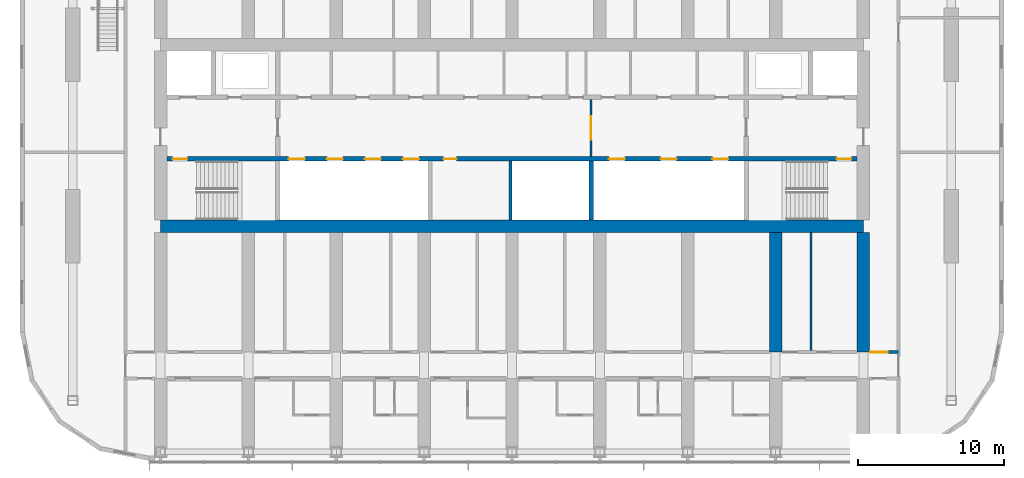
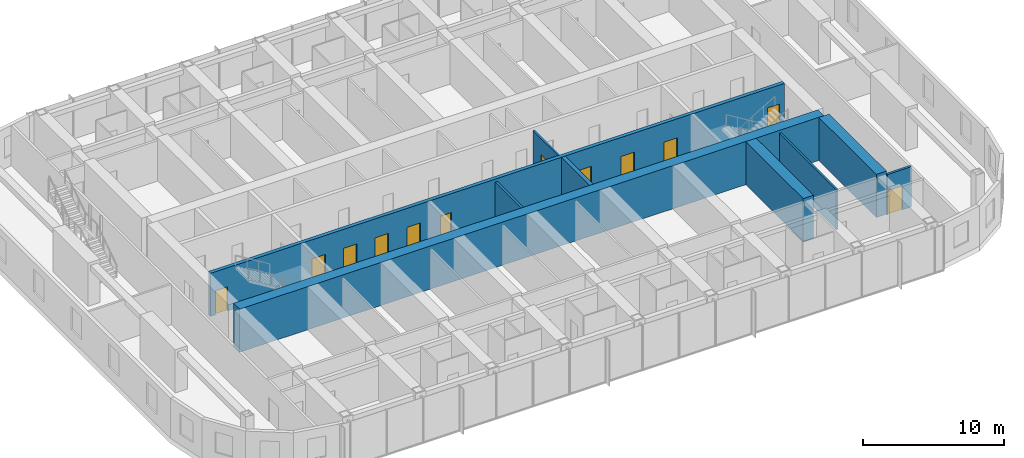
# One storey, part 17 of 29: 12 doors, 9 walls, 12 openings.
"""IFC4 building model written with IfcOpenShell, lengths in metres."""

from ifc_helpers import new_model, si_unit, direction, frame, frame_2d, origin, place, context, subcontext, project, spatial, rectangle, extrude, material, layer, layer_set, type_object, element, fill, save


model = new_model("IFC4")

# Units and contexts
model_context = context("Model", 3, precision=1e-05, world=origin(), true_north=direction((0.0, 1.0)))
body_context = subcontext(model_context, "Body", "Model", "MODEL_VIEW")
ifc_project = project(units=[si_unit("LENGTHUNIT", "METRE"), si_unit("AREAUNIT", "SQUARE_METRE"), si_unit("VOLUMEUNIT", "CUBIC_METRE"), si_unit("PLANEANGLEUNIT", "RADIAN"), si_unit("MASSUNIT", "GRAM", prefix="KILO")], contexts=[model_context])

# Site, building, storey
site_placement = place(None, origin())
site = spatial("IfcSite", under=ifc_project, at=site_placement, CompositionType="ELEMENT")
building_placement = place(site_placement, origin())
building = spatial("IfcBuilding", under=site, at=building_placement, Name="Orbita Commons", CompositionType="ELEMENT")
storey_placement = place(building_placement, frame((0.0, 0.0, 148.60009765625)))
storey = spatial("IfcBuildingStorey", under=building, at=storey_placement, Name="L36", CompositionType="ELEMENT", Elevation=148.60009765625)

# Wall, openings, doors
ifc_material_1 = material(Name="Concrete C50/60", Category="concrete")
ifc_layer_1 = layer(ifc_material_1, 0.300048828125)
ifc_layer_set_1 = layer_set([ifc_layer_1], Name="Concrete C50/60")
wall_type_1 = type_object("IfcWallType", Name="Core inner wall 300 C50/60", PredefinedType="SHEAR", material=ifc_layer_set_1)
wall_1_placement = place(storey_placement, frame((18.425048828125, 30.39990234375, 0.0), z_axis=(0.0, 0.0, 1.0), x_axis=(1.0, 0.0, 0.0)))
wall_1 = element("IfcWall", 1, at=wall_1_placement, inside=storey, type_object=wall_type_1, Name="Lobby wall south L36", PredefinedType="SHEAR", context=body_context, shape_type="SweptSolid", body=[
    extrude(rectangle(XDim=47.14990234375, YDim=0.300048828125, at=frame_2d((23.574951171875, 0.0))), origin(), (0.0, 0.0, 1.0), 3.75),
])
opening_1_placement = place(wall_1_placement, frame((0.39990234375, 0.0, 0.0)))
opening_1 = element("IfcOpeningElement", 2, at=opening_1_placement, cuts=wall_1, Name="Opening D02", PredefinedType="OPENING", context=body_context, shape_type="SweptSolid", body=[
    extrude(rectangle(XDim=1.0, YDim=2.10009765625, at=frame_2d((0.5, 1.050048828125))), frame((0.0, 0.159912109375, 0.0), z_axis=(0.0, -1.0, 0.0), x_axis=(1.0, 0.0, 0.0)), (0.0, 0.0, 1.0), 0.320068359375),
])
opening_2_placement = place(wall_1_placement, frame((45.75, 0.0, 0.0)))
opening_2 = element("IfcOpeningElement", 3, at=opening_2_placement, cuts=wall_1, Name="Opening D02", PredefinedType="OPENING", context=body_context, shape_type="SweptSolid", body=[
    extrude(rectangle(XDim=1.0, YDim=2.10009765625, at=frame_2d((0.5, 1.050048828125))), frame((0.0, 0.159912109375, 0.0), z_axis=(0.0, -1.0, 0.0), x_axis=(1.0, 0.0, 0.0)), (0.0, 0.0, 1.0), 0.320068359375),
])
opening_3_placement = place(wall_1_placement, frame((8.324951171875, 0.0, 0.0)))
opening_3 = element("IfcOpeningElement", 4, at=opening_3_placement, cuts=wall_1, Name="Opening LD02", PredefinedType="OPENING", context=body_context, shape_type="SweptSolid", body=[
    extrude(rectangle(XDim=1.10009765625, YDim=2.10009765625, at=frame_2d((0.550048828125, 1.050048828125))), frame((0.0, 0.159912109375, 0.0), z_axis=(0.0, -1.0, 0.0), x_axis=(1.0, 0.0, 0.0)), (0.0, 0.0, 1.0), 0.320068359375),
])
opening_4_placement = place(wall_1_placement, frame((10.925048828125, 0.0, 0.0)))
opening_4 = element("IfcOpeningElement", 5, at=opening_4_placement, cuts=wall_1, Name="Opening LD02", PredefinedType="OPENING", context=body_context, shape_type="SweptSolid", body=[
    extrude(rectangle(XDim=1.10009765625, YDim=2.10009765625, at=frame_2d((0.550048828125, 1.050048828125))), frame((0.0, 0.159912109375, 0.0), z_axis=(0.0, -1.0, 0.0), x_axis=(1.0, 0.0, 0.0)), (0.0, 0.0, 1.0), 0.320068359375),
])
opening_5_placement = place(wall_1_placement, frame((13.52490234375, 0.0, 0.0)))
opening_5 = element("IfcOpeningElement", 6, at=opening_5_placement, cuts=wall_1, Name="Opening LD02", PredefinedType="OPENING", context=body_context, shape_type="SweptSolid", body=[
    extrude(rectangle(XDim=1.10009765625, YDim=2.10009765625, at=frame_2d((0.550048828125, 1.050048828125))), frame((0.0, 0.159912109375, 0.0), z_axis=(0.0, -1.0, 0.0), x_axis=(1.0, 0.0, 0.0)), (0.0, 0.0, 1.0), 0.320068359375),
])
opening_6_placement = place(wall_1_placement, frame((16.125, 0.0, 0.0)))
opening_6 = element("IfcOpeningElement", 7, at=opening_6_placement, cuts=wall_1, Name="Opening LD02", PredefinedType="OPENING", context=body_context, shape_type="SweptSolid", body=[
    extrude(rectangle(XDim=1.10009765625, YDim=2.10009765625, at=frame_2d((0.550048828125, 1.050048828125))), frame((0.0, 0.159912109375, 0.0), z_axis=(0.0, -1.0, 0.0), x_axis=(1.0, 0.0, 0.0)), (0.0, 0.0, 1.0), 0.320068359375),
])
opening_7_placement = place(wall_1_placement, frame((18.89990234375, 0.0, 0.0)))
opening_7 = element("IfcOpeningElement", 8, at=opening_7_placement, cuts=wall_1, Name="Opening D05", PredefinedType="OPENING", context=body_context, shape_type="SweptSolid", body=[
    extrude(rectangle(XDim=0.89990234375, YDim=2.10009765625, at=frame_2d((0.449951171875, 1.050048828125))), frame((0.0, 0.159912109375, 0.0), z_axis=(0.0, -1.0, 0.0), x_axis=(1.0, 0.0, 0.0)), (0.0, 0.0, 1.0), 0.320068359375),
])
opening_8_placement = place(wall_1_placement, frame((30.191650390625, 0.0, 0.0)))
opening_8 = element("IfcOpeningElement", 9, at=opening_8_placement, cuts=wall_1, Name="Opening LD02", PredefinedType="OPENING", context=body_context, shape_type="SweptSolid", body=[
    extrude(rectangle(XDim=1.10009765625, YDim=2.10009765625, at=frame_2d((0.550048828125, 1.050048828125))), frame((0.0, 0.159912109375, 0.0), z_axis=(0.0, -1.0, 0.0), x_axis=(1.0, 0.0, 0.0)), (0.0, 0.0, 1.0), 0.320068359375),
])
opening_9_placement = place(wall_1_placement, frame((33.72509765625, 0.0, 0.0)))
opening_9 = element("IfcOpeningElement", 10, at=opening_9_placement, cuts=wall_1, Name="Opening LD02", PredefinedType="OPENING", context=body_context, shape_type="SweptSolid", body=[
    extrude(rectangle(XDim=1.10009765625, YDim=2.10009765625, at=frame_2d((0.550048828125, 1.050048828125))), frame((0.0, 0.159912109375, 0.0), z_axis=(0.0, -1.0, 0.0), x_axis=(1.0, 0.0, 0.0)), (0.0, 0.0, 1.0), 0.320068359375),
])
opening_10_placement = place(wall_1_placement, frame((37.25830078125, 0.0, 0.0)))
opening_10 = element("IfcOpeningElement", 11, at=opening_10_placement, cuts=wall_1, Name="Opening LD02", PredefinedType="OPENING", context=body_context, shape_type="SweptSolid", body=[
    extrude(rectangle(XDim=1.10009765625, YDim=2.10009765625, at=frame_2d((0.550048828125, 1.050048828125))), frame((0.0, 0.159912109375, 0.0), z_axis=(0.0, -1.0, 0.0), x_axis=(1.0, 0.0, 0.0)), (0.0, 0.0, 1.0), 0.320068359375),
])
ifc_material_2 = material(Name="Steel-faced fire door leaf", Category="steel")
door_type_1 = type_object("IfcDoorType", Name="Fire door 90 min 1000x2100", OperationType="SINGLE_SWING_LEFT", PredefinedType="DOOR", material=ifc_material_2)
door_1_placement = place(opening_1_placement, origin())
door_1 = element("IfcDoor", 12, at=door_1_placement, inside=storey, type_object=door_type_1, Name="Stair S1 door", OperationType="SINGLE_SWING_LEFT", OverallHeight=2.10009765625, OverallWidth=1.0, PredefinedType="DOOR", context=body_context, shape_type="SweptSolid", body=[
    extrude(rectangle(XDim=1.0, YDim=2.10009765625, at=frame_2d((0.5, 1.050048828125))), frame((0.0, 0.02490234375, 0.0), z_axis=(0.0, -1.0, 0.0), x_axis=(1.0, 0.0, 0.0)), (0.0, 0.0, 1.0), 0.050048828125),
])
fill(opening_1, door_1)
door_2_placement = place(opening_2_placement, origin())
door_2 = element("IfcDoor", 13, at=door_2_placement, inside=storey, type_object=door_type_1, Name="Stair S2 door", OperationType="SINGLE_SWING_LEFT", OverallHeight=2.10009765625, OverallWidth=1.0, PredefinedType="DOOR", context=body_context, shape_type="SweptSolid", body=[
    extrude(rectangle(XDim=1.0, YDim=2.10009765625, at=frame_2d((0.5, 1.050048828125))), frame((0.0, 0.02490234375, 0.0), z_axis=(0.0, -1.0, 0.0), x_axis=(1.0, 0.0, 0.0)), (0.0, 0.0, 1.0), 0.050048828125),
])
fill(opening_2, door_2)
ifc_material_3 = material(Name="Steel-faced fire door leaf", Category="steel")
door_type_2 = type_object("IfcDoorType", Name="Lift landing door 1100x2100", OperationType="DOUBLE_DOOR_SLIDING", PredefinedType="DOOR", material=ifc_material_3)
door_3_placement = place(opening_3_placement, origin())
door_3 = element("IfcDoor", 14, at=door_3_placement, inside=storey, type_object=door_type_2, Name="Lift P31 landing door", OperationType="DOUBLE_DOOR_SLIDING", OverallHeight=2.10009765625, OverallWidth=1.10009765625, PredefinedType="DOOR", context=body_context, shape_type="SweptSolid", body=[
    extrude(rectangle(XDim=1.10009765625, YDim=2.10009765625, at=frame_2d((0.550048828125, 1.050048828125))), frame((0.0, 0.02490234375, 0.0), z_axis=(0.0, -1.0, 0.0), x_axis=(1.0, 0.0, 0.0)), (0.0, 0.0, 1.0), 0.050048828125),
])
fill(opening_3, door_3)
door_4_placement = place(opening_4_placement, origin())
door_4 = element("IfcDoor", 15, at=door_4_placement, inside=storey, type_object=door_type_2, Name="Lift P32 landing door", OperationType="DOUBLE_DOOR_SLIDING", OverallHeight=2.10009765625, OverallWidth=1.10009765625, PredefinedType="DOOR", context=body_context, shape_type="SweptSolid", body=[
    extrude(rectangle(XDim=1.10009765625, YDim=2.10009765625, at=frame_2d((0.550048828125, 1.050048828125))), frame((0.0, 0.02490234375, 0.0), z_axis=(0.0, -1.0, 0.0), x_axis=(1.0, 0.0, 0.0)), (0.0, 0.0, 1.0), 0.050048828125),
])
fill(opening_4, door_4)
door_5_placement = place(opening_5_placement, origin())
door_5 = element("IfcDoor", 16, at=door_5_placement, inside=storey, type_object=door_type_2, Name="Lift P33 landing door", OperationType="DOUBLE_DOOR_SLIDING", OverallHeight=2.10009765625, OverallWidth=1.10009765625, PredefinedType="DOOR", context=body_context, shape_type="SweptSolid", body=[
    extrude(rectangle(XDim=1.10009765625, YDim=2.10009765625, at=frame_2d((0.550048828125, 1.050048828125))), frame((0.0, 0.02490234375, 0.0), z_axis=(0.0, -1.0, 0.0), x_axis=(1.0, 0.0, 0.0)), (0.0, 0.0, 1.0), 0.050048828125),
])
fill(opening_5, door_5)
door_6_placement = place(opening_6_placement, origin())
door_6 = element("IfcDoor", 17, at=door_6_placement, inside=storey, type_object=door_type_2, Name="Lift P34 landing door", OperationType="DOUBLE_DOOR_SLIDING", OverallHeight=2.10009765625, OverallWidth=1.10009765625, PredefinedType="DOOR", context=body_context, shape_type="SweptSolid", body=[
    extrude(rectangle(XDim=1.10009765625, YDim=2.10009765625, at=frame_2d((0.550048828125, 1.050048828125))), frame((0.0, 0.02490234375, 0.0), z_axis=(0.0, -1.0, 0.0), x_axis=(1.0, 0.0, 0.0)), (0.0, 0.0, 1.0), 0.050048828125),
])
fill(opening_6, door_6)
door_7_placement = place(opening_8_placement, origin())
door_7 = element("IfcDoor", 18, at=door_7_placement, inside=storey, type_object=door_type_2, Name="Lift SV1 landing door", OperationType="DOUBLE_DOOR_SLIDING", OverallHeight=2.10009765625, OverallWidth=1.10009765625, PredefinedType="DOOR", context=body_context, shape_type="SweptSolid", body=[
    extrude(rectangle(XDim=1.10009765625, YDim=2.10009765625, at=frame_2d((0.550048828125, 1.050048828125))), frame((0.0, 0.02490234375, 0.0), z_axis=(0.0, -1.0, 0.0), x_axis=(1.0, 0.0, 0.0)), (0.0, 0.0, 1.0), 0.050048828125),
])
fill(opening_8, door_7)
door_8_placement = place(opening_9_placement, origin())
door_8 = element("IfcDoor", 19, at=door_8_placement, inside=storey, type_object=door_type_2, Name="Lift SV2 landing door", OperationType="DOUBLE_DOOR_SLIDING", OverallHeight=2.10009765625, OverallWidth=1.10009765625, PredefinedType="DOOR", context=body_context, shape_type="SweptSolid", body=[
    extrude(rectangle(XDim=1.10009765625, YDim=2.10009765625, at=frame_2d((0.550048828125, 1.050048828125))), frame((0.0, 0.02490234375, 0.0), z_axis=(0.0, -1.0, 0.0), x_axis=(1.0, 0.0, 0.0)), (0.0, 0.0, 1.0), 0.050048828125),
])
fill(opening_9, door_8)
door_9_placement = place(opening_10_placement, origin())
door_9 = element("IfcDoor", 20, at=door_9_placement, inside=storey, type_object=door_type_2, Name="Lift SV3 landing door", OperationType="DOUBLE_DOOR_SLIDING", OverallHeight=2.10009765625, OverallWidth=1.10009765625, PredefinedType="DOOR", context=body_context, shape_type="SweptSolid", body=[
    extrude(rectangle(XDim=1.10009765625, YDim=2.10009765625, at=frame_2d((0.550048828125, 1.050048828125))), frame((0.0, 0.02490234375, 0.0), z_axis=(0.0, -1.0, 0.0), x_axis=(1.0, 0.0, 0.0)), (0.0, 0.0, 1.0), 0.050048828125),
])
fill(opening_10, door_9)
ifc_material_4 = material(Name="Steel-faced fire door leaf", Category="steel")
door_type_3 = type_object("IfcDoorType", Name="Service door 20 min 900x2100", OperationType="SINGLE_SWING_LEFT", PredefinedType="DOOR", material=ifc_material_4)
door_10_placement = place(opening_7_placement, origin())
door_10 = element("IfcDoor", 21, at=door_10_placement, inside=storey, type_object=door_type_3, Name="Linen store door", OperationType="SINGLE_SWING_LEFT", OverallHeight=2.10009765625, OverallWidth=0.89990234375, PredefinedType="DOOR", context=body_context, shape_type="SweptSolid", body=[
    extrude(rectangle(XDim=0.89990234375, YDim=2.10009765625, at=frame_2d((0.449951171875, 1.050048828125))), frame((0.0, 0.02490234375, 0.0), z_axis=(0.0, -1.0, 0.0), x_axis=(1.0, 0.0, 0.0)), (0.0, 0.0, 1.0), 0.050048828125),
])
fill(opening_7, door_10)

# Wall
wall_2_placement = place(storey_placement, frame((47.39990234375, 26.22509765625, 0.0), z_axis=(0.0, 0.0, 1.0), x_axis=(0.0, 1.0, 0.0)))
element("IfcWall", 22, at=wall_2_placement, inside=storey, type_object=wall_type_1, Name="Hoistway division wall L36", PredefinedType="SHEAR", context=body_context, shape_type="SweptSolid", body=[
    extrude(rectangle(XDim=4.02490234375, YDim=0.300048828125, at=frame_2d((2.012451171875, 0.0))), origin(), (0.0, 0.0, 1.0), 3.75),
])

# Wall, opening, door
ifc_material_5 = material(Name="Concrete blockwork", Category="masonry")
ifc_layer_2 = layer(ifc_material_5, 0.14990234375)
ifc_layer_set_2 = layer_set([ifc_layer_2], Name="Concrete blockwork")
wall_type_2 = type_object("IfcWallType", Name="Core partition 150 blockwork", PredefinedType="SOLIDWALL", material=ifc_layer_set_2)
wall_3_placement = place(storey_placement, frame((47.39990234375, 30.550048828125, 0.0), z_axis=(0.0, 0.0, 1.0), x_axis=(0.0, 1.0, 0.0)))
wall_3 = element("IfcWall", 23, at=wall_3_placement, inside=storey, type_object=wall_type_2, Name="Core partition 150 blockwork L36", PredefinedType="SOLIDWALL", context=body_context, shape_type="SweptSolid", body=[
    extrude(rectangle(XDim=3.89990234375, YDim=0.14990234375, at=frame_2d((1.949951171875, 0.0))), origin(), (0.0, 0.0, 1.0), 3.5),
])
opening_11_placement = place(wall_3_placement, frame((1.14990234375, 0.0, 0.0)))
opening_11 = element("IfcOpeningElement", 24, at=opening_11_placement, cuts=wall_3, Name="Opening D10", PredefinedType="OPENING", context=body_context, shape_type="SweptSolid", body=[
    extrude(rectangle(XDim=1.60009765625, YDim=2.10009765625, at=frame_2d((0.800048828125, 1.050048828125))), frame((0.0, 0.0849609375, 0.0), z_axis=(0.0, -1.0, 0.0), x_axis=(1.0, 0.0, 0.0)), (0.0, 0.0, 1.0), 0.169921875),
])
ifc_material_6 = material(Name="Steel-faced fire door leaf", Category="steel")
door_type_4 = type_object("IfcDoorType", Name="Double corridor door 20 min 1600x2100", OperationType="DOUBLE_DOOR_SINGLE_SWING", PredefinedType="DOOR", material=ifc_material_6)
door_11_placement = place(opening_11_placement, origin())
door_11 = element("IfcDoor", 25, at=door_11_placement, inside=storey, type_object=door_type_4, Name="Lift lobby screen doors", OperationType="DOUBLE_DOOR_SINGLE_SWING", OverallHeight=2.10009765625, OverallWidth=1.60009765625, PredefinedType="DOOR", context=body_context, shape_type="SweptSolid", body=[
    extrude(rectangle(XDim=1.60009765625, YDim=2.10009765625, at=frame_2d((0.800048828125, 1.050048828125))), frame((0.0, 0.02490234375, 0.0), z_axis=(0.0, -1.0, 0.0), x_axis=(1.0, 0.0, 0.0)), (0.0, 0.0, 1.0), 0.050048828125),
])
fill(opening_11, door_11)

# Wall
ifc_material_7 = material(Name="Concrete C50/60", Category="concrete")
ifc_layer_3 = layer(ifc_material_7, 0.85009765625)
ifc_layer_set_3 = layer_set([ifc_layer_3], Name="Concrete C50/60")
wall_type_3 = type_object("IfcWallType", Name="Core wall 850 C50/60", PredefinedType="SHEAR", material=ifc_layer_set_3)
wall_4_placement = place(storey_placement, frame((18.0, 25.800048828125, 0.0), z_axis=(0.0, 0.0, 1.0), x_axis=(1.0, 0.0, 0.0)))
element("IfcWall", 26, at=wall_4_placement, inside=storey, type_object=wall_type_3, Name="Core spine wall south L36", PredefinedType="SHEAR", context=body_context, shape_type="SweptSolid", body=[
    extrude(rectangle(XDim=48.0, YDim=0.85009765625, at=frame_2d((24.0, 0.0))), origin(), (0.0, 0.0, 1.0), 3.75),
])

# Wall, opening, door
ifc_material_8 = material(Name="Hollow concrete block 200", Category="concrete")
ifc_layer_4 = layer(ifc_material_8, 0.199951171875)
ifc_layer_set_4 = layer_set([ifc_layer_4], Name="Hollow concrete block 200")
wall_type_4 = type_object("IfcWallType", Name="Corridor wall 200 hollow concrete block", PredefinedType="SOLIDWALL", material=ifc_layer_set_4)
wall_5_placement = place(storey_placement, frame((66.425048828125, 17.199951171875, 0.0), z_axis=(0.0, 0.0, 1.0), x_axis=(1.0, 0.0, 0.0)))
wall_5 = element("IfcWall", 27, at=wall_5_placement, inside=storey, type_object=wall_type_4, Name="Corridor wall 200 hollow concrete block L36", PredefinedType="SOLIDWALL", context=body_context, shape_type="SweptSolid", body=[
    extrude(rectangle(XDim=1.974853515625, YDim=0.199951171875, at=frame_2d((0.9873046875, 0.0))), origin(), (0.0, 0.0, 1.0), 3.5),
])
opening_12_placement = place(wall_5_placement, frame((0.050048828125, 0.0, 0.0)))
opening_12 = element("IfcOpeningElement", 28, at=opening_12_placement, cuts=wall_5, Name="Opening D12", PredefinedType="OPENING", context=body_context, shape_type="SweptSolid", body=[
    extrude(rectangle(XDim=1.199951171875, YDim=2.10009765625, at=frame_2d((0.60009765625, 1.050048828125))), frame((0.0, 0.10986328125, 0.0), z_axis=(0.0, -1.0, 0.0), x_axis=(1.0, 0.0, 0.0)), (0.0, 0.0, 1.0), 0.219970703125),
])
ifc_material_9 = material(Name="Steel-faced fire door leaf", Category="steel")
door_type_5 = type_object("IfcDoorType", Name="Double corridor door 20 min 1200x2100", OperationType="DOUBLE_DOOR_SINGLE_SWING", PredefinedType="DOOR", material=ifc_material_9)
door_12_placement = place(opening_12_placement, origin())
door_12 = element("IfcDoor", 29, at=door_12_placement, inside=storey, type_object=door_type_5, Name="Cross corridor doors", OperationType="DOUBLE_DOOR_SINGLE_SWING", OverallHeight=2.10009765625, OverallWidth=1.199951171875, PredefinedType="DOOR", context=body_context, shape_type="SweptSolid", body=[
    extrude(rectangle(XDim=1.199951171875, YDim=2.10009765625, at=frame_2d((0.60009765625, 1.050048828125))), frame((0.0, 0.02490234375, 0.0), z_axis=(0.0, -1.0, 0.0), x_axis=(1.0, 0.0, 0.0)), (0.0, 0.0, 1.0), 0.050048828125),
])
fill(opening_12, door_12)

# Walls
ifc_material_10 = material(Name="Concrete C50/60", Category="concrete")
ifc_layer_5 = layer(ifc_material_10, 0.85009765625)
ifc_layer_set_5 = layer_set([ifc_layer_5], Name="Concrete C50/60")
wall_type_5 = type_object("IfcWallType", Name="Cross wall 850 C50/60", PredefinedType="SHEAR", material=ifc_layer_set_5)
for number, where, z_axis, x_axis, name in (
    (30, (60.0, 17.199951171875, 0.0), (0.0, 0.0, 1.0), (0.0, 1.0, 0.0), "Cross wall 11 south inner L36"),
    (31, (66.0, 17.199951171875, 0.0), (0.0, 0.0, 1.0), (0.0, 1.0, 0.0), "Cross wall 12 south inner L36"),
):
    element("IfcWall", number, at=place(storey_placement, frame(where, z_axis=z_axis, x_axis=x_axis)), inside=storey, type_object=wall_type_5, Name=name, PredefinedType="SHEAR", context=body_context, shape_type="SweptSolid", body=[
        extrude(rectangle(XDim=8.175048828125, YDim=0.85009765625, at=frame_2d((4.08740234375, 0.0))), origin(), (0.0, 0.0, 1.0), 3.75),
    ])
ifc_material_11 = material(Name="Gypsum plasterboard on steel studs", Category="steel")
ifc_layer_6 = layer(ifc_material_11, 0.14990234375)
ifc_layer_set_6 = layer_set([ifc_layer_6], Name="Gypsum plasterboard on steel studs")
wall_type_6 = type_object("IfcWallType", Name="Partition 150 plasterboard", PredefinedType="PARTITIONING", material=ifc_layer_set_6)
wall_6_placement = place(storey_placement, frame((62.4150390625, 17.300048828125, 0.0), z_axis=(0.0, 0.0, 1.0), x_axis=(0.0, 1.0, 0.0)))
element("IfcWall", 32, at=wall_6_placement, inside=storey, type_object=wall_type_6, Name="Partition 150 plasterboard L36", PredefinedType="PARTITIONING", context=body_context, shape_type="SweptSolid", body=[
    extrude(rectangle(XDim=8.074951171875, YDim=0.14990234375, at=frame_2d((4.03759765625, 0.0))), origin(), (0.0, 0.0, 1.0), 3.5),
])
ifc_material_12 = material(Name="Concrete blockwork, fully filled", Category="masonry")
ifc_layer_7 = layer(ifc_material_12, 0.199951171875)
ifc_layer_set_7 = layer_set([ifc_layer_7], Name="Concrete blockwork, fully filled")
wall_type_7 = type_object("IfcWallType", Name="Shaft partition 200 blockwork", PredefinedType="SOLIDWALL", material=ifc_layer_set_7)
wall_7_placement = place(storey_placement, frame((41.89990234375, 26.22509765625, 0.0), z_axis=(0.0, 0.0, 1.0), x_axis=(0.0, 1.0, 0.0)))
element("IfcWall", 33, at=wall_7_placement, inside=storey, type_object=wall_type_7, Name="Shaft partition 200 blockwork L36", PredefinedType="SOLIDWALL", context=body_context, shape_type="SweptSolid", body=[
    extrude(rectangle(XDim=4.02490234375, YDim=0.199951171875, at=frame_2d((2.012451171875, 0.0))), origin(), (0.0, 0.0, 1.0), 3.5),
])

save(model, "model.ifc")
